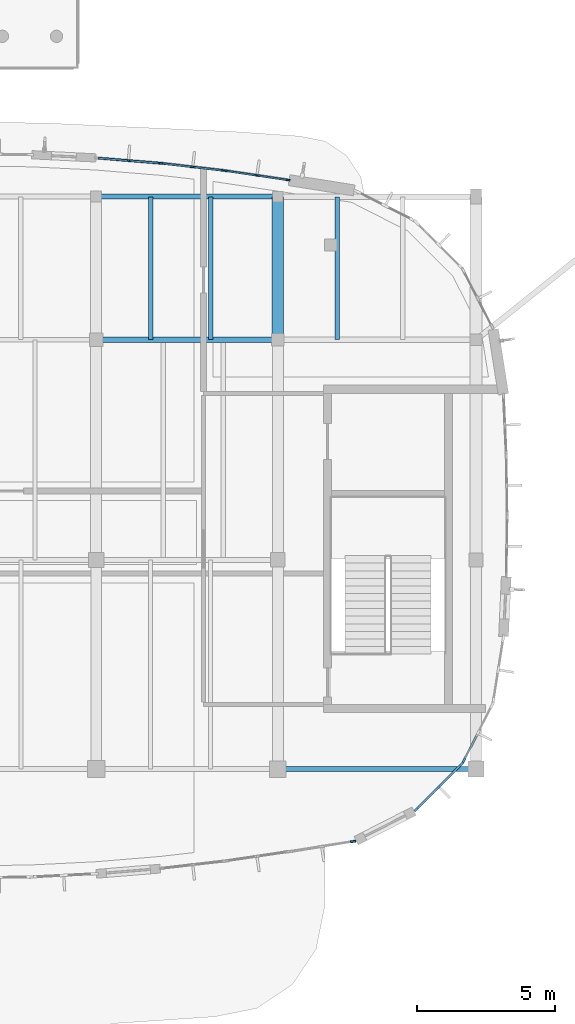
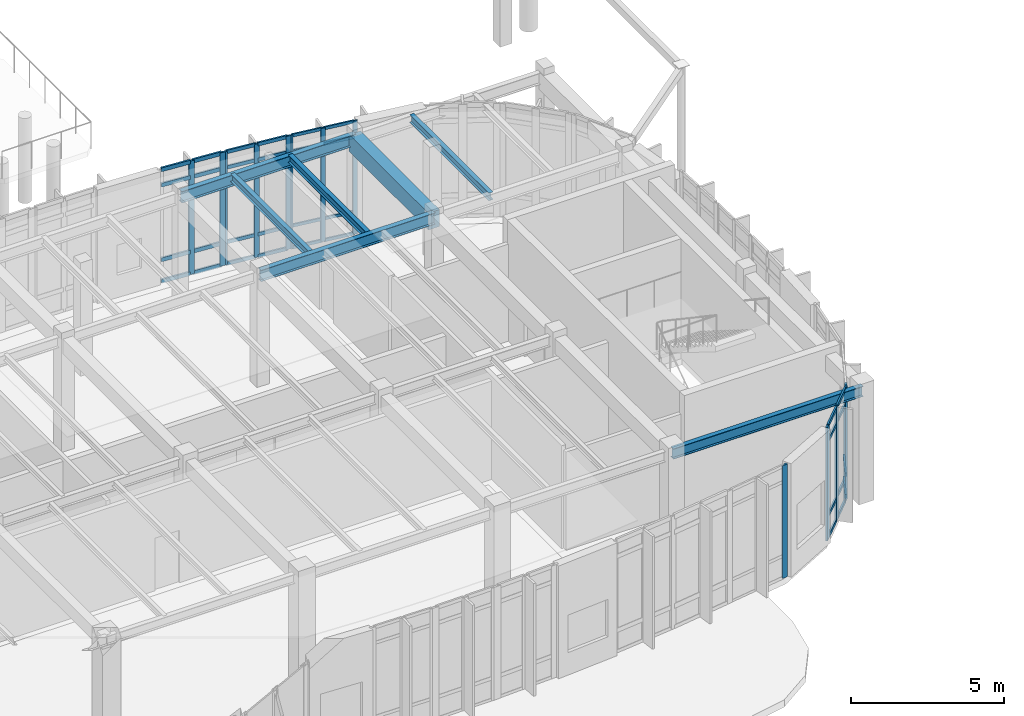
# One storey, part 34 of 120: 47 members, 7 beams, 6 elements without a shape of their own.
"""IFC4 building model written with IfcOpenShell, lengths in metres."""

from ifc_helpers import new_model, si_unit, direction, frame, origin, origin_2d, place, context, subcontext, project, spatial, rectangle, i_section, extrude, material, material_profile, profile_set, type_object, element, aggregate, save


model = new_model("IFC4")

# Units and contexts
model_context = context("Model", 3, precision=1e-05, world=origin(), true_north=direction((0.0, 1.0)))
body_context = subcontext(model_context, "Body", "Model", "MODEL_VIEW")
ifc_project = project(units=[si_unit("LENGTHUNIT", "METRE"), si_unit("AREAUNIT", "SQUARE_METRE"), si_unit("VOLUMEUNIT", "CUBIC_METRE"), si_unit("PLANEANGLEUNIT", "RADIAN"), si_unit("MASSUNIT", "GRAM", prefix="KILO")], contexts=[model_context])

# Site, building, storey
site_placement = place(None, origin())
site = spatial("IfcSite", under=ifc_project, at=site_placement, CompositionType="ELEMENT")
building_placement = place(site_placement, origin())
building = spatial("IfcBuilding", under=site, at=building_placement, Name="Corveleigh Park Community Centre", CompositionType="ELEMENT")
storey_placement = place(building_placement, origin())
storey = spatial("IfcBuildingStorey", under=building, at=storey_placement, Name="L00", CompositionType="ELEMENT", Elevation=0.0)

# Beams
ifc_material_1 = material(Name="Concrete C40/50", Category="concrete")
ifc_material_profile_1 = material_profile(ifc_material_1, rectangle(XDim=0.425048828125, YDim=0.675048828125, at=origin_2d()), Name="RC-425x675", Category="concrete")
ifc_profile_set_1 = profile_set([ifc_material_profile_1], Name="Concrete C40/50")
beam_type_1 = type_object("IfcBeamType", Name="BM-RC-425x675", PredefinedType="BEAM", material=ifc_profile_set_1)
beam_1_placement = place(storey_placement, frame((100.800048828125, 26.804931640625, 4.199462890625), z_axis=(0.0, 1.0, 0.0), x_axis=(-1.0, 0.0, 0.0)))
element("IfcBeam", 1, at=beam_1_placement, inside=storey, type_object=beam_type_1, Name="V3 Girder Y", PredefinedType="BEAM", context=body_context, shape_type="SweptSolid", body=[
    extrude(rectangle(XDim=0.425048828125, YDim=0.675048828125, at=origin_2d()), origin(), (0.0, 0.0, 1.0), 5.190185546875),
])
ifc_material_2 = material(Name="Steel S355", Category="steel")
ifc_material_profile_2 = material_profile(ifc_material_2, i_section(OverallWidth=0.165771484375, OverallDepth=0.306640625, WebThickness=0.006591796875, FlangeThickness=0.01171875, at=origin_2d()), Name="UKB 305x165x46", Category="steel")
ifc_profile_set_2 = profile_set([ifc_material_profile_2], Name="Steel S355")
beam_type_2 = type_object("IfcBeamType", Name="BM-STL-UKB305x46", PredefinedType="JOIST", material=ifc_profile_set_2)
for number, where, z_axis, x_axis, name in (
    (2, (96.179931640625, 26.804931640625, 4.3837890625), (0.0, 1.0, 0.0), (-1.0, 0.0, 0.0), "Secondary floor joist"),
    (3, (98.35791015625, 26.804931640625, 4.3837890625), (0.0, 1.0, 0.0), (-1.0, 0.0, 0.0), "Secondary floor joist"),
):
    element("IfcBeam", number, at=place(storey_placement, frame(where, z_axis=z_axis, x_axis=x_axis)), inside=storey, type_object=beam_type_2, Name=name, PredefinedType="JOIST", context=body_context, shape_type="SweptSolid", body=[
        extrude(i_section(OverallWidth=0.165771484375, OverallDepth=0.306640625, WebThickness=0.006591796875, FlangeThickness=0.01171875, at=origin_2d()), origin(), (0.0, 0.0, 1.0), 5.190185546875),
    ])
ifc_material_profile_3 = material_profile(ifc_material_2, i_section(OverallWidth=0.1669921875, OverallDepth=0.310302734375, WebThickness=0.0078125, FlangeThickness=0.013671875, at=origin_2d()), Name="UKB 305x165x54", Category="steel")
ifc_profile_set_3 = profile_set([ifc_material_profile_3], Name="Steel S355")
beam_type_3 = type_object("IfcBeamType", Name="BM-STL-UKB305x54", PredefinedType="JOIST", material=ifc_profile_set_3)
beam_2_placement = place(storey_placement, frame((102.9599609375, 26.804931640625, 4.3818359375), z_axis=(0.0, 1.0, 0.0), x_axis=(-1.0, 0.0, 0.0)))
element("IfcBeam", 4, at=beam_2_placement, inside=storey, type_object=beam_type_3, Name="Secondary floor joist", PredefinedType="JOIST", context=body_context, shape_type="SweptSolid", body=[
    extrude(i_section(OverallWidth=0.1669921875, OverallDepth=0.310302734375, WebThickness=0.0078125, FlangeThickness=0.013671875, at=origin_2d()), origin(), (0.0, 0.0, 1.0), 5.190185546875),
])
ifc_material_profile_4 = material_profile(ifc_material_2, i_section(OverallWidth=0.179443359375, OverallDepth=0.412841796875, WebThickness=0.009521484375, FlangeThickness=0.01611328125, at=origin_2d()), Name="UKB 406x178x74", Category="steel")
ifc_profile_set_4 = profile_set([ifc_material_profile_4], Name="Steel S355")
beam_type_4 = type_object("IfcBeamType", Name="BM-STL-UKB406x74", PredefinedType="BEAM", material=ifc_profile_set_4)
beam_3_placement = place(storey_placement, frame((100.804931640625, 11.199951171875, 4.335693359375), z_axis=(1.0, 0.0, 0.0), x_axis=(0.0, 1.0, 0.0)))
element("IfcBeam", 5, at=beam_3_placement, inside=storey, type_object=beam_type_4, Name="V3 Girder X", PredefinedType="BEAM", context=body_context, shape_type="SweptSolid", body=[
    extrude(i_section(OverallWidth=0.179443359375, OverallDepth=0.412841796875, WebThickness=0.009521484375, FlangeThickness=0.01611328125, at=origin_2d()), origin(), (0.0, 0.0, 1.0), 7.190185546875),
])
ifc_material_profile_5 = material_profile(ifc_material_2, i_section(OverallWidth=0.18994140625, OverallDepth=0.453369140625, WebThickness=0.008544921875, FlangeThickness=0.0126953125, at=origin_2d()), Name="UKB 457x191x67", Category="steel")
ifc_profile_set_5 = profile_set([ifc_material_profile_5], Name="Steel S355")
beam_type_5 = type_object("IfcBeamType", Name="BM-STL-UKB457x67", PredefinedType="BEAM", material=ifc_profile_set_5)
beam_4_placement = place(storey_placement, frame((94.205078125, 26.800048828125, 4.315185546875), z_axis=(1.0, 0.0, 0.0), x_axis=(0.0, 1.0, 0.0)))
element("IfcBeam", 6, at=beam_4_placement, inside=storey, type_object=beam_type_5, Name="V3 Girder X", PredefinedType="BEAM", context=body_context, shape_type="SweptSolid", body=[
    extrude(i_section(OverallWidth=0.18994140625, OverallDepth=0.453369140625, WebThickness=0.008544921875, FlangeThickness=0.0126953125, at=origin_2d()), origin(), (0.0, 0.0, 1.0), 6.58984375),
])
ifc_material_profile_6 = material_profile(ifc_material_2, i_section(OverallWidth=0.1904296875, OverallDepth=0.45703125, WebThickness=0.009033203125, FlangeThickness=0.014404296875, at=origin_2d()), Name="UKB 457x191x74", Category="steel")
ifc_profile_set_6 = profile_set([ifc_material_profile_6], Name="Steel S355")
beam_type_6 = type_object("IfcBeamType", Name="BM-STL-UKB457x74", PredefinedType="BEAM", material=ifc_profile_set_6)
beam_5_placement = place(storey_placement, frame((94.205078125, 32.0, 4.30859375), z_axis=(1.0, 0.0, 0.0), x_axis=(0.0, 1.0, 0.0)))
element("IfcBeam", 7, at=beam_5_placement, inside=storey, type_object=beam_type_6, Name="V3 Girder X", PredefinedType="BEAM", context=body_context, shape_type="SweptSolid", body=[
    extrude(i_section(OverallWidth=0.1904296875, OverallDepth=0.45703125, WebThickness=0.009033203125, FlangeThickness=0.014404296875, at=origin_2d()), origin(), (0.0, 0.0, 1.0), 6.58984375),
])

# Curtain wall, members
ifc_material_3 = material(Name="Anodised aluminium 6063-T6", Category="aluminium")
curtain_wall_type = type_object("IfcCurtainWallType", Name="CW-SYS-V3-L00", PredefinedType="NOTDEFINED", material=ifc_material_3)
curtain_wall_1_placement = place(storey_placement, origin())
curtain_wall_1 = element("IfcCurtainWall", 8, at=curtain_wall_1_placement, inside=storey, type_object=curtain_wall_type, Name="V3 L00 Curtain Wall 91", PredefinedType="NOTDEFINED")
ifc_material_profile_7 = material_profile(ifc_material_3, rectangle(XDim=0.06005859375, YDim=0.159912109375, at=origin_2d()), Name="ALU-M60x160", Category="aluminium")
ifc_profile_set_7 = profile_set([ifc_material_profile_7], Name="Anodised aluminium 6063-T6")
member_type_1 = type_object("IfcMemberType", Name="CWM-60x160", PredefinedType="MULLION", material=ifc_profile_set_7)
member_1_placement = place(storey_placement, frame((98.91357421875, 32.939697265625, 0.0), z_axis=(0.0, 0.0, 1.0), x_axis=(0.146936785797, 0.989145884579, 0.0)))
member_1 = element("IfcMember", 9, at=member_1_placement, type_object=member_type_1, Name="CW05 mullion 1", PredefinedType="MULLION", context=body_context, shape_type="SweptSolid", body=[
    extrude(rectangle(XDim=0.06005859375, YDim=0.159912109375, at=origin_2d()), origin(), (0.0, 0.0, 1.0), 4.537109375),
])
member_2_placement = place(storey_placement, frame((100.03857421875, 32.7724609375, 0.0), z_axis=(0.0, 0.0, 1.0), x_axis=(0.146936785797, 0.989145884579, 0.0)))
member_2 = element("IfcMember", 10, at=member_2_placement, type_object=member_type_1, Name="CW05 mullion 2", PredefinedType="MULLION", context=body_context, shape_type="SweptSolid", body=[
    extrude(rectangle(XDim=0.06005859375, YDim=0.159912109375, at=origin_2d()), origin(), (0.0, 0.0, 1.0), 4.537109375),
])
member_3_placement = place(storey_placement, frame((101.163330078125, 32.60546875, 0.0), z_axis=(0.0, 0.0, 1.0), x_axis=(0.146936785797, 0.989145884579, 0.0)))
member_3 = element("IfcMember", 11, at=member_3_placement, type_object=member_type_1, Name="CW05 mullion 3", PredefinedType="MULLION", context=body_context, shape_type="SweptSolid", body=[
    extrude(rectangle(XDim=0.06005859375, YDim=0.159912109375, at=origin_2d()), origin(), (0.0, 0.0, 1.0), 4.537109375),
])

curtain_wall_2_placement = place(storey_placement, origin())
curtain_wall_2 = element("IfcCurtainWall", 12, at=curtain_wall_2_placement, inside=storey, type_object=curtain_wall_type, Name="V3 L00 Curtain Wall 92", PredefinedType="NOTDEFINED")
ifc_material_profile_8 = material_profile(ifc_material_3, rectangle(XDim=0.06494140625, YDim=0.179931640625, at=origin_2d()), Name="ALU-M65x180", Category="aluminium")
ifc_profile_set_8 = profile_set([ifc_material_profile_8], Name="Anodised aluminium 6063-T6")
member_type_2 = type_object("IfcMemberType", Name="CWM-65x180", PredefinedType="MULLION", material=ifc_profile_set_8)
member_4_placement = place(storey_placement, frame((96.581298828125, 33.209228515625, 0.0), z_axis=(0.0, 0.0, 1.0), x_axis=(0.114477641449, 0.993425824915, 0.0)))
member_4 = element("IfcMember", 13, at=member_4_placement, type_object=member_type_2, Name="CW05 mullion 1", PredefinedType="MULLION", context=body_context, shape_type="SweptSolid", body=[
    extrude(rectangle(XDim=0.06494140625, YDim=0.179931640625, at=origin_2d()), origin(), (0.0, 0.0, 1.0), 4.537109375),
])
member_5_placement = place(storey_placement, frame((97.70751953125, 33.07958984375, 0.0), z_axis=(0.0, 0.0, 1.0), x_axis=(0.114477641449, 0.993425824915, 0.0)))
member_5 = element("IfcMember", 14, at=member_5_placement, type_object=member_type_2, Name="CW05 mullion 2", PredefinedType="MULLION", context=body_context, shape_type="SweptSolid", body=[
    extrude(rectangle(XDim=0.06494140625, YDim=0.179931640625, at=origin_2d()), origin(), (0.0, 0.0, 1.0), 4.537109375),
])
member_6_placement = place(storey_placement, frame((98.833740234375, 32.94970703125, 0.0), z_axis=(0.0, 0.0, 1.0), x_axis=(0.114477641449, 0.993425824915, 0.0)))
member_6 = element("IfcMember", 15, at=member_6_placement, type_object=member_type_2, Name="CW05 mullion 3", PredefinedType="MULLION", context=body_context, shape_type="SweptSolid", body=[
    extrude(rectangle(XDim=0.06494140625, YDim=0.179931640625, at=origin_2d()), origin(), (0.0, 0.0, 1.0), 4.537109375),
])

# Curtain wall, member
curtain_wall_3_placement = place(storey_placement, origin())
curtain_wall_3 = element("IfcCurtainWall", 16, at=curtain_wall_3_placement, inside=storey, type_object=curtain_wall_type, Name="V3 L00 Curtain Wall 81", PredefinedType="NOTDEFINED")
ifc_material_profile_9 = material_profile(ifc_material_3, rectangle(XDim=0.070068359375, YDim=0.199951171875, at=origin_2d()), Name="ALU-M70x200", Category="aluminium")
ifc_profile_set_9 = profile_set([ifc_material_profile_9], Name="Anodised aluminium 6063-T6")
member_type_3 = type_object("IfcMemberType", Name="CWM-70x200", PredefinedType="MULLION", material=ifc_profile_set_9)
member_7_placement = place(storey_placement, frame((103.537353515625, 8.570556640625, 0.0), z_axis=(0.0, 0.0, 1.0), x_axis=(0.156605894344, -0.98766117361, 0.0)))
member_7 = element("IfcMember", 17, at=member_7_placement, type_object=member_type_3, Name="CW05 mullion 1", PredefinedType="MULLION", context=body_context, shape_type="SweptSolid", body=[
    extrude(rectangle(XDim=0.070068359375, YDim=0.199951171875, at=origin_2d()), origin(), (0.0, 0.0, 1.0), 4.511962890625),
])
aggregate(curtain_wall_3, [member_7])

# Curtain wall, members
curtain_wall_4_placement = place(storey_placement, origin())
curtain_wall_4 = element("IfcCurtainWall", 18, at=curtain_wall_4_placement, inside=storey, type_object=curtain_wall_type, Name="V3 L00 Curtain Wall 93", PredefinedType="NOTDEFINED")
member_8_placement = place(storey_placement, frame((95.368896484375, 33.31005859375, 0.0), z_axis=(0.0, 0.0, 1.0), x_axis=(0.081483729643, 0.996674671999, 0.0)))
member_8 = element("IfcMember", 19, at=member_8_placement, type_object=member_type_3, Name="CW05 mullion 2", PredefinedType="MULLION", context=body_context, shape_type="SweptSolid", body=[
    extrude(rectangle(XDim=0.070068359375, YDim=0.199951171875, at=origin_2d()), origin(), (0.0, 0.0, 1.0), 4.537109375),
])
member_9_placement = place(storey_placement, frame((96.49609375, 33.2177734375, 0.0), z_axis=(0.0, 0.0, 1.0), x_axis=(0.081483729643, 0.996674671999, 0.0)))
member_9 = element("IfcMember", 20, at=member_9_placement, type_object=member_type_3, Name="CW05 mullion 3", PredefinedType="MULLION", context=body_context, shape_type="SweptSolid", body=[
    extrude(rectangle(XDim=0.070068359375, YDim=0.199951171875, at=origin_2d()), origin(), (0.0, 0.0, 1.0), 4.537109375),
])

curtain_wall_5_placement = place(storey_placement, origin())
curtain_wall_5 = element("IfcCurtainWall", 21, at=curtain_wall_5_placement, inside=storey, type_object=curtain_wall_type, Name="V3 L00 Curtain Wall 82", PredefinedType="NOTDEFINED")
ifc_material_profile_10 = material_profile(ifc_material_3, rectangle(XDim=0.074951171875, YDim=0.219970703125, at=origin_2d()), Name="ALU-M75x220", Category="aluminium")
ifc_profile_set_10 = profile_set([ifc_material_profile_10], Name="Anodised aluminium 6063-T6")
member_type_4 = type_object("IfcMemberType", Name="CWM-75x220", PredefinedType="MULLION", material=ifc_profile_set_10)
member_10_placement = place(storey_placement, frame((107.45654296875, 11.361572265625, 0.0), z_axis=(0.0, 0.0, 1.0), x_axis=(0.707106781187, -0.707106781187, 0.0)))
member_10 = element("IfcMember", 22, at=member_10_placement, type_object=member_type_4, Name="CW05 mullion 1", PredefinedType="MULLION", context=body_context, shape_type="SweptSolid", body=[
    extrude(rectangle(XDim=0.074951171875, YDim=0.219970703125, at=origin_2d()), origin(), (0.0, 0.0, 1.0), 4.5419921875),
])
member_11_placement = place(storey_placement, frame((106.6474609375, 10.552490234375, 0.0), z_axis=(0.0, 0.0, 1.0), x_axis=(0.707106781187, -0.707106781187, 0.0)))
member_11 = element("IfcMember", 23, at=member_11_placement, type_object=member_type_4, Name="CW05 mullion 2", PredefinedType="MULLION", context=body_context, shape_type="SweptSolid", body=[
    extrude(rectangle(XDim=0.074951171875, YDim=0.219970703125, at=origin_2d()), origin(), (0.0, 0.0, 1.0), 4.5419921875),
])
member_12_placement = place(storey_placement, frame((105.838623046875, 9.743408203125, 0.0), z_axis=(0.0, 0.0, 1.0), x_axis=(0.707106781187, -0.707106781187, 0.0)))
member_12 = element("IfcMember", 24, at=member_12_placement, type_object=member_type_4, Name="CW05 mullion 3", PredefinedType="MULLION", context=body_context, shape_type="SweptSolid", body=[
    extrude(rectangle(XDim=0.074951171875, YDim=0.219970703125, at=origin_2d()), origin(), (0.0, 0.0, 1.0), 4.5419921875),
])

# Curtain wall, member
curtain_wall_6_placement = place(storey_placement, origin())
curtain_wall_6 = element("IfcCurtainWall", 25, at=curtain_wall_6_placement, inside=storey, type_object=curtain_wall_type, Name="V3 L00 Curtain Wall 83", PredefinedType="NOTDEFINED")
ifc_material_profile_11 = material_profile(ifc_material_3, rectangle(XDim=0.080078125, YDim=0.25, at=origin_2d()), Name="ALU-M80x250", Category="aluminium")
ifc_profile_set_11 = profile_set([ifc_material_profile_11], Name="Anodised aluminium 6063-T6")
member_type_5 = type_object("IfcMemberType", Name="CWM-80x250", PredefinedType="MULLION", material=ifc_profile_set_11)
member_13_placement = place(storey_placement, frame((107.545166015625, 11.484619140625, 0.0), z_axis=(0.0, 0.0, 1.0), x_axis=(0.890932984411, -0.45413480079, 0.0)))
member_13 = element("IfcMember", 26, at=member_13_placement, type_object=member_type_5, Name="CW05 mullion 3", PredefinedType="MULLION", context=body_context, shape_type="SweptSolid", body=[
    extrude(rectangle(XDim=0.080078125, YDim=0.25, at=origin_2d()), origin(), (0.0, 0.0, 1.0), 4.5419921875),
])

# Member
ifc_material_profile_12 = material_profile(ifc_material_3, rectangle(XDim=0.06005859375, YDim=0.1201171875, at=origin_2d()), Name="ALU-T60x120", Category="aluminium")
ifc_profile_set_12 = profile_set([ifc_material_profile_12], Name="Anodised aluminium 6063-T6")
member_type_6 = type_object("IfcMemberType", Name="CWT-60x120", PredefinedType="USERDEFINED", material=ifc_profile_set_12)
member_14_placement = place(storey_placement, frame((98.943359375, 32.935302734375, 0.030029296875), z_axis=(0.989121774353, -0.147098998981, 0.0), x_axis=(0.147098998981, 0.989121774353, 0.0)))
member_14 = element("IfcMember", 27, at=member_14_placement, type_object=member_type_6, Name="CW05 transom 1.1", ObjectType="TRANSOM", PredefinedType="USERDEFINED", context=body_context, shape_type="SweptSolid", body=[
    extrude(rectangle(XDim=0.06005859375, YDim=0.1201171875, at=origin_2d()), origin(), (0.0, 0.0, 1.0), 1.0771484375),
])

member_15_placement = place(storey_placement, frame((98.943359375, 32.935302734375, 0.89990234375), z_axis=(0.989121774353, -0.147098998981, 0.0), x_axis=(0.147098998981, 0.989121774353, 0.0)))
member_15 = element("IfcMember", 28, at=member_15_placement, type_object=member_type_6, Name="CW05 transom 1.2", ObjectType="TRANSOM", PredefinedType="USERDEFINED", context=body_context, shape_type="SweptSolid", body=[
    extrude(rectangle(XDim=0.06005859375, YDim=0.1201171875, at=origin_2d()), origin(), (0.0, 0.0, 1.0), 1.0771484375),
])

member_16_placement = place(storey_placement, frame((98.943359375, 32.935302734375, 3.886962890625), z_axis=(0.989121774353, -0.147098998981, 0.0), x_axis=(0.147098998981, 0.989121774353, 0.0)))
member_16 = element("IfcMember", 29, at=member_16_placement, type_object=member_type_6, Name="CW05 transom 1.3", ObjectType="TRANSOM", PredefinedType="USERDEFINED", context=body_context, shape_type="SweptSolid", body=[
    extrude(rectangle(XDim=0.06005859375, YDim=0.1201171875, at=origin_2d()), origin(), (0.0, 0.0, 1.0), 1.0771484375),
])

member_17_placement = place(storey_placement, frame((98.943359375, 32.935302734375, 4.507080078125), z_axis=(0.989121774353, -0.147098998981, 0.0), x_axis=(0.147098998981, 0.989121774353, 0.0)))
member_17 = element("IfcMember", 30, at=member_17_placement, type_object=member_type_6, Name="CW05 transom 1.4", ObjectType="TRANSOM", PredefinedType="USERDEFINED", context=body_context, shape_type="SweptSolid", body=[
    extrude(rectangle(XDim=0.06005859375, YDim=0.1201171875, at=origin_2d()), origin(), (0.0, 0.0, 1.0), 1.0771484375),
])

member_18_placement = place(storey_placement, frame((100.068115234375, 32.76806640625, 0.030029296875), z_axis=(0.989154728607, -0.146877237428, 0.0), x_axis=(0.146877237428, 0.989154728607, 0.0)))
member_18 = element("IfcMember", 31, at=member_18_placement, type_object=member_type_6, Name="CW05 transom 2.1", ObjectType="TRANSOM", PredefinedType="USERDEFINED", context=body_context, shape_type="SweptSolid", body=[
    extrude(rectangle(XDim=0.06005859375, YDim=0.1201171875, at=origin_2d()), origin(), (0.0, 0.0, 1.0), 1.0771484375),
])

member_19_placement = place(storey_placement, frame((100.068115234375, 32.76806640625, 0.89990234375), z_axis=(0.989154728607, -0.146877237428, 0.0), x_axis=(0.146877237428, 0.989154728607, 0.0)))
member_19 = element("IfcMember", 32, at=member_19_placement, type_object=member_type_6, Name="CW05 transom 2.2", ObjectType="TRANSOM", PredefinedType="USERDEFINED", context=body_context, shape_type="SweptSolid", body=[
    extrude(rectangle(XDim=0.06005859375, YDim=0.1201171875, at=origin_2d()), origin(), (0.0, 0.0, 1.0), 1.0771484375),
])

member_20_placement = place(storey_placement, frame((100.068115234375, 32.76806640625, 3.886962890625), z_axis=(0.989154728607, -0.146877237428, 0.0), x_axis=(0.146877237428, 0.989154728607, 0.0)))
member_20 = element("IfcMember", 33, at=member_20_placement, type_object=member_type_6, Name="CW05 transom 2.3", ObjectType="TRANSOM", PredefinedType="USERDEFINED", context=body_context, shape_type="SweptSolid", body=[
    extrude(rectangle(XDim=0.06005859375, YDim=0.1201171875, at=origin_2d()), origin(), (0.0, 0.0, 1.0), 1.0771484375),
])

member_21_placement = place(storey_placement, frame((100.068115234375, 32.76806640625, 4.507080078125), z_axis=(0.989154728607, -0.146877237428, 0.0), x_axis=(0.146877237428, 0.989154728607, 0.0)))
member_21 = element("IfcMember", 34, at=member_21_placement, type_object=member_type_6, Name="CW05 transom 2.4", ObjectType="TRANSOM", PredefinedType="USERDEFINED", context=body_context, shape_type="SweptSolid", body=[
    extrude(rectangle(XDim=0.06005859375, YDim=0.1201171875, at=origin_2d()), origin(), (0.0, 0.0, 1.0), 1.0771484375),
])

aggregate(curtain_wall_1, [member_1, member_2, member_3, member_14, member_15, member_16, member_17, member_18, member_19, member_20, member_21])

ifc_material_profile_13 = material_profile(ifc_material_3, rectangle(XDim=0.06494140625, YDim=0.139892578125, at=origin_2d()), Name="ALU-T65x140", Category="aluminium")
ifc_profile_set_13 = profile_set([ifc_material_profile_13], Name="Anodised aluminium 6063-T6")
member_type_7 = type_object("IfcMemberType", Name="CWT-65x140", PredefinedType="USERDEFINED", material=ifc_profile_set_13)
member_22_placement = place(storey_placement, frame((107.429931640625, 11.3349609375, 0.032470703125), z_axis=(-0.707106781187, -0.707106781187, 0.0), x_axis=(0.707106781187, -0.707106781187, 0.0)))
member_22 = element("IfcMember", 35, at=member_22_placement, type_object=member_type_7, Name="CW05 transom 1.1", ObjectType="TRANSOM", PredefinedType="USERDEFINED", context=body_context, shape_type="SweptSolid", body=[
    extrude(rectangle(XDim=0.06494140625, YDim=0.139892578125, at=origin_2d()), origin(), (0.0, 0.0, 1.0), 1.06884765625),
])

member_23_placement = place(storey_placement, frame((107.429931640625, 11.3349609375, 0.89990234375), z_axis=(-0.707106781187, -0.707106781187, 0.0), x_axis=(0.707106781187, -0.707106781187, 0.0)))
member_23 = element("IfcMember", 36, at=member_23_placement, type_object=member_type_7, Name="CW05 transom 1.2", ObjectType="TRANSOM", PredefinedType="USERDEFINED", context=body_context, shape_type="SweptSolid", body=[
    extrude(rectangle(XDim=0.06494140625, YDim=0.139892578125, at=origin_2d()), origin(), (0.0, 0.0, 1.0), 1.06884765625),
])

member_24_placement = place(storey_placement, frame((107.429931640625, 11.3349609375, 3.89208984375), z_axis=(-0.707106781187, -0.707106781187, 0.0), x_axis=(0.707106781187, -0.707106781187, 0.0)))
member_24 = element("IfcMember", 37, at=member_24_placement, type_object=member_type_7, Name="CW05 transom 1.3", ObjectType="TRANSOM", PredefinedType="USERDEFINED", context=body_context, shape_type="SweptSolid", body=[
    extrude(rectangle(XDim=0.06494140625, YDim=0.139892578125, at=origin_2d()), origin(), (0.0, 0.0, 1.0), 1.06884765625),
])

member_25_placement = place(storey_placement, frame((107.429931640625, 11.3349609375, 4.509521484375), z_axis=(-0.707106781187, -0.707106781187, 0.0), x_axis=(0.707106781187, -0.707106781187, 0.0)))
member_25 = element("IfcMember", 38, at=member_25_placement, type_object=member_type_7, Name="CW05 transom 1.4", ObjectType="TRANSOM", PredefinedType="USERDEFINED", context=body_context, shape_type="SweptSolid", body=[
    extrude(rectangle(XDim=0.06494140625, YDim=0.139892578125, at=origin_2d()), origin(), (0.0, 0.0, 1.0), 1.06884765625),
])

member_26_placement = place(storey_placement, frame((106.62109375, 10.52587890625, 0.032470703125), z_axis=(-0.707220950359, -0.706992593578, 0.0), x_axis=(0.706992593578, -0.707220950359, 0.0)))
member_26 = element("IfcMember", 39, at=member_26_placement, type_object=member_type_7, Name="CW05 transom 2.1", ObjectType="TRANSOM", PredefinedType="USERDEFINED", context=body_context, shape_type="SweptSolid", body=[
    extrude(rectangle(XDim=0.06494140625, YDim=0.139892578125, at=origin_2d()), origin(), (0.0, 0.0, 1.0), 1.069091796875),
])

member_27_placement = place(storey_placement, frame((106.62109375, 10.52587890625, 0.89990234375), z_axis=(-0.707220950359, -0.706992593578, 0.0), x_axis=(0.706992593578, -0.707220950359, 0.0)))
member_27 = element("IfcMember", 40, at=member_27_placement, type_object=member_type_7, Name="CW05 transom 2.2", ObjectType="TRANSOM", PredefinedType="USERDEFINED", context=body_context, shape_type="SweptSolid", body=[
    extrude(rectangle(XDim=0.06494140625, YDim=0.139892578125, at=origin_2d()), origin(), (0.0, 0.0, 1.0), 1.069091796875),
])

member_28_placement = place(storey_placement, frame((106.62109375, 10.52587890625, 3.89208984375), z_axis=(-0.707220950359, -0.706992593578, 0.0), x_axis=(0.706992593578, -0.707220950359, 0.0)))
member_28 = element("IfcMember", 41, at=member_28_placement, type_object=member_type_7, Name="CW05 transom 2.3", ObjectType="TRANSOM", PredefinedType="USERDEFINED", context=body_context, shape_type="SweptSolid", body=[
    extrude(rectangle(XDim=0.06494140625, YDim=0.139892578125, at=origin_2d()), origin(), (0.0, 0.0, 1.0), 1.069091796875),
])

member_29_placement = place(storey_placement, frame((106.62109375, 10.52587890625, 4.509521484375), z_axis=(-0.707220950359, -0.706992593578, 0.0), x_axis=(0.706992593578, -0.707220950359, 0.0)))
member_29 = element("IfcMember", 42, at=member_29_placement, type_object=member_type_7, Name="CW05 transom 2.4", ObjectType="TRANSOM", PredefinedType="USERDEFINED", context=body_context, shape_type="SweptSolid", body=[
    extrude(rectangle(XDim=0.06494140625, YDim=0.139892578125, at=origin_2d()), origin(), (0.0, 0.0, 1.0), 1.069091796875),
])

aggregate(curtain_wall_5, [member_10, member_11, member_12, member_22, member_23, member_24, member_25, member_26, member_27, member_28, member_29])

member_30_placement = place(storey_placement, frame((96.613525390625, 33.20556640625, 0.032470703125), z_axis=(0.993429927819, -0.114442031234, 0.0), x_axis=(0.114442031234, 0.993429927819, 0.0)))
member_30 = element("IfcMember", 43, at=member_30_placement, type_object=member_type_7, Name="CW05 transom 1.1", ObjectType="TRANSOM", PredefinedType="USERDEFINED", context=body_context, shape_type="SweptSolid", body=[
    extrude(rectangle(XDim=0.06494140625, YDim=0.139892578125, at=origin_2d()), origin(), (0.0, 0.0, 1.0), 1.06884765625),
])

member_31_placement = place(storey_placement, frame((96.613525390625, 33.20556640625, 0.89990234375), z_axis=(0.993429927819, -0.114442031234, 0.0), x_axis=(0.114442031234, 0.993429927819, 0.0)))
member_31 = element("IfcMember", 44, at=member_31_placement, type_object=member_type_7, Name="CW05 transom 1.2", ObjectType="TRANSOM", PredefinedType="USERDEFINED", context=body_context, shape_type="SweptSolid", body=[
    extrude(rectangle(XDim=0.06494140625, YDim=0.139892578125, at=origin_2d()), origin(), (0.0, 0.0, 1.0), 1.06884765625),
])

member_32_placement = place(storey_placement, frame((96.613525390625, 33.20556640625, 3.886962890625), z_axis=(0.993429927819, -0.114442031234, 0.0), x_axis=(0.114442031234, 0.993429927819, 0.0)))
member_32 = element("IfcMember", 45, at=member_32_placement, type_object=member_type_7, Name="CW05 transom 1.3", ObjectType="TRANSOM", PredefinedType="USERDEFINED", context=body_context, shape_type="SweptSolid", body=[
    extrude(rectangle(XDim=0.06494140625, YDim=0.139892578125, at=origin_2d()), origin(), (0.0, 0.0, 1.0), 1.06884765625),
])

member_33_placement = place(storey_placement, frame((96.613525390625, 33.20556640625, 4.50439453125), z_axis=(0.993429927819, -0.114442031234, 0.0), x_axis=(0.114442031234, 0.993429927819, 0.0)))
member_33 = element("IfcMember", 46, at=member_33_placement, type_object=member_type_7, Name="CW05 transom 1.4", ObjectType="TRANSOM", PredefinedType="USERDEFINED", context=body_context, shape_type="SweptSolid", body=[
    extrude(rectangle(XDim=0.06494140625, YDim=0.139892578125, at=origin_2d()), origin(), (0.0, 0.0, 1.0), 1.06884765625),
])

member_34_placement = place(storey_placement, frame((97.73974609375, 33.07568359375, 0.032470703125), z_axis=(0.993429927819, -0.114442031234, 0.0), x_axis=(0.114442031234, 0.993429927819, 0.0)))
member_34 = element("IfcMember", 47, at=member_34_placement, type_object=member_type_7, Name="CW05 transom 2.1", ObjectType="TRANSOM", PredefinedType="USERDEFINED", context=body_context, shape_type="SweptSolid", body=[
    extrude(rectangle(XDim=0.06494140625, YDim=0.139892578125, at=origin_2d()), origin(), (0.0, 0.0, 1.0), 1.06884765625),
])

member_35_placement = place(storey_placement, frame((97.73974609375, 33.07568359375, 0.89990234375), z_axis=(0.993429927819, -0.114442031234, 0.0), x_axis=(0.114442031234, 0.993429927819, 0.0)))
member_35 = element("IfcMember", 48, at=member_35_placement, type_object=member_type_7, Name="CW05 transom 2.2", ObjectType="TRANSOM", PredefinedType="USERDEFINED", context=body_context, shape_type="SweptSolid", body=[
    extrude(rectangle(XDim=0.06494140625, YDim=0.139892578125, at=origin_2d()), origin(), (0.0, 0.0, 1.0), 1.06884765625),
])

member_36_placement = place(storey_placement, frame((97.73974609375, 33.07568359375, 3.886962890625), z_axis=(0.993429927819, -0.114442031234, 0.0), x_axis=(0.114442031234, 0.993429927819, 0.0)))
member_36 = element("IfcMember", 49, at=member_36_placement, type_object=member_type_7, Name="CW05 transom 2.3", ObjectType="TRANSOM", PredefinedType="USERDEFINED", context=body_context, shape_type="SweptSolid", body=[
    extrude(rectangle(XDim=0.06494140625, YDim=0.139892578125, at=origin_2d()), origin(), (0.0, 0.0, 1.0), 1.06884765625),
])

member_37_placement = place(storey_placement, frame((97.73974609375, 33.07568359375, 4.50439453125), z_axis=(0.993429927819, -0.114442031234, 0.0), x_axis=(0.114442031234, 0.993429927819, 0.0)))
member_37 = element("IfcMember", 50, at=member_37_placement, type_object=member_type_7, Name="CW05 transom 2.4", ObjectType="TRANSOM", PredefinedType="USERDEFINED", context=body_context, shape_type="SweptSolid", body=[
    extrude(rectangle(XDim=0.06494140625, YDim=0.139892578125, at=origin_2d()), origin(), (0.0, 0.0, 1.0), 1.06884765625),
])

aggregate(curtain_wall_2, [member_4, member_5, member_6, member_30, member_31, member_32, member_33, member_34, member_35, member_36, member_37])

ifc_material_profile_14 = material_profile(ifc_material_3, rectangle(XDim=0.070068359375, YDim=0.155029296875, at=origin_2d()), Name="ALU-T70x155", Category="aluminium")
ifc_profile_set_14 = profile_set([ifc_material_profile_14], Name="Anodised aluminium 6063-T6")
member_type_8 = type_object("IfcMemberType", Name="CWT-70x155", PredefinedType="USERDEFINED", material=ifc_profile_set_14)
member_38_placement = place(storey_placement, frame((108.0458984375, 12.466796875, 0.034912109375), z_axis=(-0.454276847245, -0.89086056488, 0.0), x_axis=(0.89086056488, -0.454276847245, 0.0)))
member_38 = element("IfcMember", 51, at=member_38_placement, type_object=member_type_8, Name="CW05 transom 2.1", ObjectType="TRANSOM", PredefinedType="USERDEFINED", context=body_context, shape_type="SweptSolid", body=[
    extrude(rectangle(XDim=0.070068359375, YDim=0.155029296875, at=origin_2d()), origin(), (0.0, 0.0, 1.0), 1.0625),
])

member_39_placement = place(storey_placement, frame((108.0458984375, 12.466796875, 0.89990234375), z_axis=(-0.454276847245, -0.89086056488, 0.0), x_axis=(0.89086056488, -0.454276847245, 0.0)))
member_39 = element("IfcMember", 52, at=member_39_placement, type_object=member_type_8, Name="CW05 transom 2.2", ObjectType="TRANSOM", PredefinedType="USERDEFINED", context=body_context, shape_type="SweptSolid", body=[
    extrude(rectangle(XDim=0.070068359375, YDim=0.155029296875, at=origin_2d()), origin(), (0.0, 0.0, 1.0), 1.0625),
])

aggregate(curtain_wall_6, [member_13, member_38, member_39])

member_40_placement = place(storey_placement, frame((94.27685546875, 33.3994140625, 0.034912109375), z_axis=(0.996657521232, -0.081693239445, 0.0), x_axis=(0.081693239445, 0.996657521232, 0.0)))
member_40 = element("IfcMember", 53, at=member_40_placement, type_object=member_type_8, Name="CW05 transom 1.1", ObjectType="TRANSOM", PredefinedType="USERDEFINED", context=body_context, shape_type="SweptSolid", body=[
    extrude(rectangle(XDim=0.070068359375, YDim=0.155029296875, at=origin_2d()), origin(), (0.0, 0.0, 1.0), 1.06103515625),
])

member_41_placement = place(storey_placement, frame((94.27685546875, 33.3994140625, 0.89990234375), z_axis=(0.996657521232, -0.081693239445, 0.0), x_axis=(0.081693239445, 0.996657521232, 0.0)))
member_41 = element("IfcMember", 54, at=member_41_placement, type_object=member_type_8, Name="CW05 transom 1.2", ObjectType="TRANSOM", PredefinedType="USERDEFINED", context=body_context, shape_type="SweptSolid", body=[
    extrude(rectangle(XDim=0.070068359375, YDim=0.155029296875, at=origin_2d()), origin(), (0.0, 0.0, 1.0), 1.06103515625),
])

member_42_placement = place(storey_placement, frame((94.27685546875, 33.3994140625, 3.886962890625), z_axis=(0.996657521232, -0.081693239445, 0.0), x_axis=(0.081693239445, 0.996657521232, 0.0)))
member_42 = element("IfcMember", 55, at=member_42_placement, type_object=member_type_8, Name="CW05 transom 1.3", ObjectType="TRANSOM", PredefinedType="USERDEFINED", context=body_context, shape_type="SweptSolid", body=[
    extrude(rectangle(XDim=0.070068359375, YDim=0.155029296875, at=origin_2d()), origin(), (0.0, 0.0, 1.0), 1.06103515625),
])

member_43_placement = place(storey_placement, frame((94.27685546875, 33.3994140625, 4.501953125), z_axis=(0.996657521232, -0.081693239445, 0.0), x_axis=(0.081693239445, 0.996657521232, 0.0)))
member_43 = element("IfcMember", 56, at=member_43_placement, type_object=member_type_8, Name="CW05 transom 1.4", ObjectType="TRANSOM", PredefinedType="USERDEFINED", context=body_context, shape_type="SweptSolid", body=[
    extrude(rectangle(XDim=0.070068359375, YDim=0.155029296875, at=origin_2d()), origin(), (0.0, 0.0, 1.0), 1.06103515625),
])

member_44_placement = place(storey_placement, frame((95.40380859375, 33.30712890625, 0.034912109375), z_axis=(0.996676231929, -0.081464646987, 0.0), x_axis=(0.081464646987, 0.996676231929, 0.0)))
member_44 = element("IfcMember", 57, at=member_44_placement, type_object=member_type_8, Name="CW05 transom 2.1", ObjectType="TRANSOM", PredefinedType="USERDEFINED", context=body_context, shape_type="SweptSolid", body=[
    extrude(rectangle(XDim=0.070068359375, YDim=0.155029296875, at=origin_2d()), origin(), (0.0, 0.0, 1.0), 1.060791015625),
])

member_45_placement = place(storey_placement, frame((95.40380859375, 33.30712890625, 0.89990234375), z_axis=(0.996676231929, -0.081464646987, 0.0), x_axis=(0.081464646987, 0.996676231929, 0.0)))
member_45 = element("IfcMember", 58, at=member_45_placement, type_object=member_type_8, Name="CW05 transom 2.2", ObjectType="TRANSOM", PredefinedType="USERDEFINED", context=body_context, shape_type="SweptSolid", body=[
    extrude(rectangle(XDim=0.070068359375, YDim=0.155029296875, at=origin_2d()), origin(), (0.0, 0.0, 1.0), 1.060791015625),
])

member_46_placement = place(storey_placement, frame((95.40380859375, 33.30712890625, 3.886962890625), z_axis=(0.996676231929, -0.081464646987, 0.0), x_axis=(0.081464646987, 0.996676231929, 0.0)))
member_46 = element("IfcMember", 59, at=member_46_placement, type_object=member_type_8, Name="CW05 transom 2.3", ObjectType="TRANSOM", PredefinedType="USERDEFINED", context=body_context, shape_type="SweptSolid", body=[
    extrude(rectangle(XDim=0.070068359375, YDim=0.155029296875, at=origin_2d()), origin(), (0.0, 0.0, 1.0), 1.060791015625),
])

member_47_placement = place(storey_placement, frame((95.40380859375, 33.30712890625, 4.501953125), z_axis=(0.996676231929, -0.081464646987, 0.0), x_axis=(0.081464646987, 0.996676231929, 0.0)))
member_47 = element("IfcMember", 60, at=member_47_placement, type_object=member_type_8, Name="CW05 transom 2.4", ObjectType="TRANSOM", PredefinedType="USERDEFINED", context=body_context, shape_type="SweptSolid", body=[
    extrude(rectangle(XDim=0.070068359375, YDim=0.155029296875, at=origin_2d()), origin(), (0.0, 0.0, 1.0), 1.060791015625),
])

aggregate(curtain_wall_4, [member_8, member_9, member_40, member_41, member_42, member_43, member_44, member_45, member_46, member_47])

save(model, "model.ifc")
